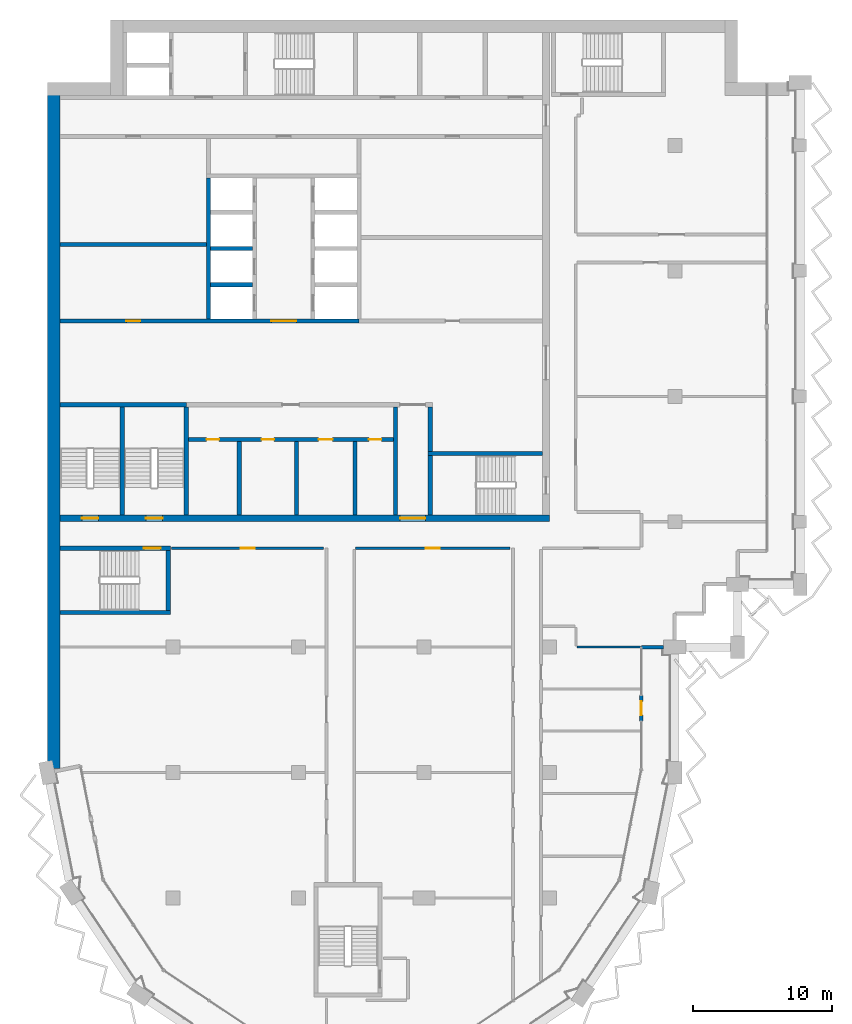
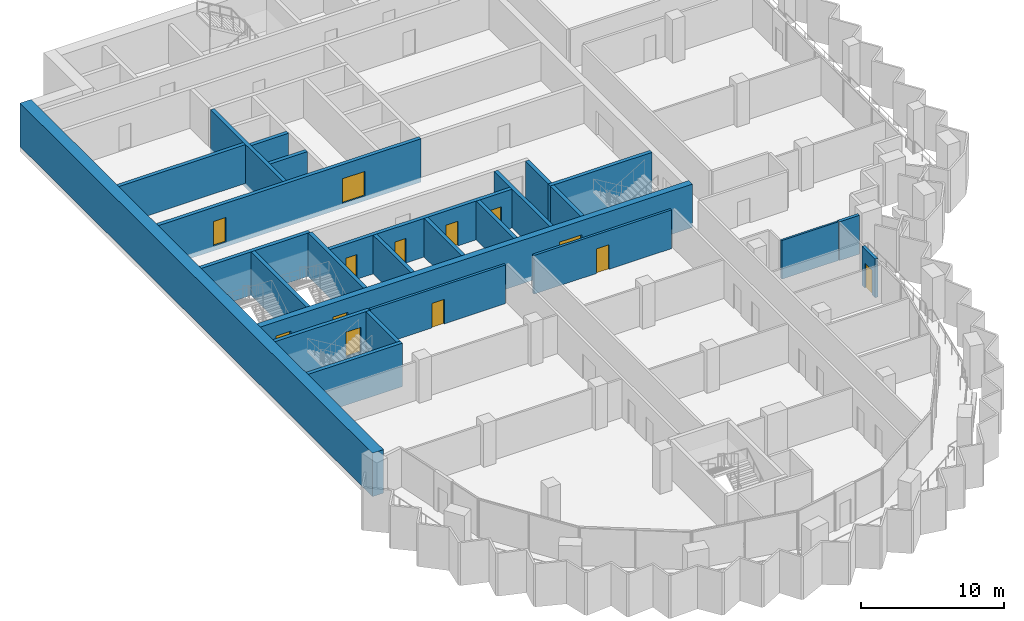
# One storey, part 8 of 16: 26 walls, 13 doors, 13 openings.
"""IFC4 building model written with IfcOpenShell, lengths in metres."""

from ifc_helpers import new_model, si_unit, direction, frame, frame_2d, origin, place, context, subcontext, project, spatial, rectangle, extrude, material, layer, layer_set, type_object, element, fill, save


model = new_model("IFC4")

# Units and contexts
model_context = context("Model", 3, precision=1e-05, world=origin(), true_north=direction((0.0, 1.0)))
body_context = subcontext(model_context, "Body", "Model", "MODEL_VIEW")
ifc_project = project(units=[si_unit("LENGTHUNIT", "METRE"), si_unit("AREAUNIT", "SQUARE_METRE"), si_unit("VOLUMEUNIT", "CUBIC_METRE"), si_unit("PLANEANGLEUNIT", "RADIAN"), si_unit("MASSUNIT", "GRAM", prefix="KILO")], contexts=[model_context])

# Site, building, storey
site_placement = place(None, origin())
site = spatial("IfcSite", under=ifc_project, at=site_placement, CompositionType="ELEMENT")
building_placement = place(site_placement, origin())
building = spatial("IfcBuilding", under=site, at=building_placement, Name="Hunhe Ridgeline Campus", CompositionType="ELEMENT")
storey_placement = place(building_placement, frame((0.0, 0.0, 261.39990234375)))
storey = spatial("IfcBuildingStorey", under=building, at=storey_placement, Name="L67", CompositionType="ELEMENT", Elevation=261.39990234375)

# Wall, openings, doors
ifc_material_1 = material(Name="Masonry concrete blockwork", Category="masonry")
ifc_layer_1 = layer(ifc_material_1, 0.300048828125)
ifc_layer_set_1 = layer_set([ifc_layer_1], Name="Core room partition 300 concrete block")
wall_type_1 = type_object("IfcWallType", Name="Core room partition 300 concrete block", PredefinedType="PARTITIONING", material=ifc_layer_set_1)
wall_1_placement = place(storey_placement, frame((10.10009765625, 68.89990234375, 0.0), z_axis=(0.0, 0.0, 1.0), x_axis=(1.0, 0.0, 0.0)))
wall_1 = element("IfcWall", 1, at=wall_1_placement, inside=storey, type_object=wall_type_1, Name="L67 core partition 7", PredefinedType="PARTITIONING", context=body_context, shape_type="SweptSolid", body=[
    extrude(rectangle(XDim=14.699951171875, YDim=0.300048828125, at=frame_2d((7.35009765625, 0.0))), origin(), (0.0, 0.0, 1.0), 3.300048828125),
])
opening_1_placement = place(wall_1_placement, frame((1.300048828125, 0.0, 0.0)))
opening_1 = element("IfcOpeningElement", 2, at=opening_1_placement, cuts=wall_1, Name="Opening CD8", PredefinedType="OPENING", context=body_context, shape_type="SweptSolid", body=[
    extrude(rectangle(XDim=0.89990234375, YDim=2.10009765625, at=frame_2d((0.449951171875, 1.050048828125))), frame((0.0, 0.14990234375, 0.0), z_axis=(0.0, -1.0, 0.0), x_axis=(1.0, 0.0, 0.0)), (0.0, 0.0, 1.0), 0.300048828125),
])
opening_2_placement = place(wall_1_placement, frame((5.25, 0.0, 0.0)))
opening_2 = element("IfcOpeningElement", 3, at=opening_2_placement, cuts=wall_1, Name="Opening CD9", PredefinedType="OPENING", context=body_context, shape_type="SweptSolid", body=[
    extrude(rectangle(XDim=0.89990234375, YDim=2.10009765625, at=frame_2d((0.449951171875, 1.050048828125))), frame((0.0, 0.14990234375, 0.0), z_axis=(0.0, -1.0, 0.0), x_axis=(1.0, 0.0, 0.0)), (0.0, 0.0, 1.0), 0.300048828125),
])
opening_3_placement = place(wall_1_placement, frame((9.35009765625, 0.0, 0.0)))
opening_3 = element("IfcOpeningElement", 4, at=opening_3_placement, cuts=wall_1, Name="Opening CD10", PredefinedType="OPENING", context=body_context, shape_type="SweptSolid", body=[
    extrude(rectangle(XDim=1.0, YDim=2.10009765625, at=frame_2d((0.5, 1.050048828125))), frame((0.0, 0.14990234375, 0.0), z_axis=(0.0, -1.0, 0.0), x_axis=(1.0, 0.0, 0.0)), (0.0, 0.0, 1.0), 0.300048828125),
])
opening_4_placement = place(wall_1_placement, frame((12.949951171875, 0.0, 0.0)))
opening_4 = element("IfcOpeningElement", 5, at=opening_4_placement, cuts=wall_1, Name="Opening CD11", PredefinedType="OPENING", context=body_context, shape_type="SweptSolid", body=[
    extrude(rectangle(XDim=0.89990234375, YDim=2.10009765625, at=frame_2d((0.449951171875, 1.050048828125))), frame((0.0, 0.14990234375, 0.0), z_axis=(0.0, -1.0, 0.0), x_axis=(1.0, 0.0, 0.0)), (0.0, 0.0, 1.0), 0.300048828125),
])
ifc_material_2 = material(Name="Solid core timber door leaf", Category="wood")
door_type_1 = type_object("IfcDoorType", Name="Timber door 1000x2100", OperationType="SINGLE_SWING_LEFT", PredefinedType="DOOR", material=ifc_material_2)
door_1_placement = place(opening_3_placement, frame((1.0, 0.0, 0.0), z_axis=(0.0, 0.0, 1.0), x_axis=(-1.0, 0.0, 0.0)))
door_1 = element("IfcDoor", 6, at=door_1_placement, inside=storey, type_object=door_type_1, Name="L67 door WC3", OperationType="SINGLE_SWING_LEFT", OverallHeight=2.10009765625, OverallWidth=1.0, PredefinedType="DOOR", context=body_context, shape_type="SweptSolid", body=[
    extrude(rectangle(XDim=1.0, YDim=2.10009765625, at=frame_2d((0.5, 1.050048828125))), frame((0.0, 0.02490234375, 0.0), z_axis=(0.0, -1.0, 0.0), x_axis=(1.0, 0.0, 0.0)), (0.0, 0.0, 1.0), 0.050048828125),
])
fill(opening_3, door_1)
door_type_2 = type_object("IfcDoorType", Name="Timber door 900x2100", OperationType="SINGLE_SWING_LEFT", PredefinedType="DOOR", material=ifc_material_2)
door_2_placement = place(opening_1_placement, frame((0.89990234375, 0.0, 0.0), z_axis=(0.0, 0.0, 1.0), x_axis=(-1.0, 0.0, 0.0)))
door_2 = element("IfcDoor", 7, at=door_2_placement, inside=storey, type_object=door_type_2, Name="L67 door WC1", OperationType="SINGLE_SWING_LEFT", OverallHeight=2.10009765625, OverallWidth=0.89990234375, PredefinedType="DOOR", context=body_context, shape_type="SweptSolid", body=[
    extrude(rectangle(XDim=0.89990234375, YDim=2.10009765625, at=frame_2d((0.449951171875, 1.050048828125))), frame((0.0, 0.02490234375, 0.0), z_axis=(0.0, -1.0, 0.0), x_axis=(1.0, 0.0, 0.0)), (0.0, 0.0, 1.0), 0.050048828125),
])
fill(opening_1, door_2)
door_3_placement = place(opening_2_placement, frame((0.89990234375, 0.0, 0.0), z_axis=(0.0, 0.0, 1.0), x_axis=(-1.0, 0.0, 0.0)))
door_3 = element("IfcDoor", 8, at=door_3_placement, inside=storey, type_object=door_type_2, Name="L67 door WC2", OperationType="SINGLE_SWING_RIGHT", OverallHeight=2.10009765625, OverallWidth=0.89990234375, PredefinedType="DOOR", context=body_context, shape_type="SweptSolid", body=[
    extrude(rectangle(XDim=0.89990234375, YDim=2.10009765625, at=frame_2d((0.449951171875, 1.050048828125))), frame((0.0, 0.02490234375, 0.0), z_axis=(0.0, -1.0, 0.0), x_axis=(1.0, 0.0, 0.0)), (0.0, 0.0, 1.0), 0.050048828125),
])
fill(opening_2, door_3)
door_4_placement = place(opening_4_placement, frame((0.89990234375, 0.0, 0.0), z_axis=(0.0, 0.0, 1.0), x_axis=(-1.0, 0.0, 0.0)))
door_4 = element("IfcDoor", 9, at=door_4_placement, inside=storey, type_object=door_type_2, Name="L67 door WC4", OperationType="SINGLE_SWING_RIGHT", OverallHeight=2.10009765625, OverallWidth=0.89990234375, PredefinedType="DOOR", context=body_context, shape_type="SweptSolid", body=[
    extrude(rectangle(XDim=0.89990234375, YDim=2.10009765625, at=frame_2d((0.449951171875, 1.050048828125))), frame((0.0, 0.02490234375, 0.0), z_axis=(0.0, -1.0, 0.0), x_axis=(1.0, 0.0, 0.0)), (0.0, 0.0, 1.0), 0.050048828125),
])
fill(opening_4, door_4)

# Walls
wall_2_placement = place(storey_placement, frame((0.89990234375, 82.89990234375, 0.0), z_axis=(0.0, 0.0, 1.0), x_axis=(1.0, 0.0, 0.0)))
element("IfcWall", 10, at=wall_2_placement, inside=storey, type_object=wall_type_1, Name="L67 core partition 16", PredefinedType="PARTITIONING", context=body_context, shape_type="SweptSolid", body=[
    extrude(rectangle(XDim=10.5, YDim=0.300048828125, at=frame_2d((5.25, 0.0))), origin(), (0.0, 0.0, 1.0), 3.300048828125),
])
for number, where, z_axis, x_axis, name in (
    (11, (13.75, 63.5, 0.0), (0.0, 0.0, 1.0), (0.0, 1.0, 0.0), "L67 core partition 32"),
    (12, (17.85009765625, 63.5, 0.0), (0.0, 0.0, 1.0), (0.0, 1.0, 0.0), "L67 core partition 35"),
    (13, (22.050048828125, 63.5, 0.0), (0.0, 0.0, 1.0), (0.0, 1.0, 0.0), "L67 core partition 38"),
):
    element("IfcWall", number, at=place(storey_placement, frame(where, z_axis=z_axis, x_axis=x_axis)), inside=storey, type_object=wall_type_1, Name=name, PredefinedType="PARTITIONING", context=body_context, shape_type="SweptSolid", body=[
        extrude(rectangle(XDim=5.25, YDim=0.300048828125, at=frame_2d((2.625, 0.0))), origin(), (0.0, 0.0, 1.0), 3.300048828125),
    ])
wall_3_placement = place(storey_placement, frame((24.949951171875, 63.5, 0.0), z_axis=(0.0, 0.0, 1.0), x_axis=(0.0, 1.0, 0.0)))
element("IfcWall", 14, at=wall_3_placement, inside=storey, type_object=wall_type_1, Name="L67 core partition 43", PredefinedType="PARTITIONING", context=body_context, shape_type="SweptSolid", body=[
    extrude(rectangle(XDim=7.75, YDim=0.300048828125, at=frame_2d((3.875, 0.0))), origin(), (0.0, 0.0, 1.0), 3.300048828125),
])
wall_4_placement = place(storey_placement, frame((27.449951171875, 68.050048828125, 0.0), z_axis=(0.0, 0.0, 1.0), x_axis=(0.0, 1.0, 0.0)))
element("IfcWall", 15, at=wall_4_placement, inside=storey, type_object=wall_type_1, Name="L67 core partition 46", PredefinedType="PARTITIONING", context=body_context, shape_type="SweptSolid", body=[
    extrude(rectangle(XDim=3.199951171875, YDim=0.300048828125, at=frame_2d((1.60009765625, 0.0))), origin(), (0.0, 0.0, 1.0), 3.300048828125),
])

# Wall, openings, doors
ifc_material_3 = material(Name="Concrete C50", Category="concrete")
ifc_layer_2 = layer(ifc_material_3, 0.5)
ifc_layer_set_2 = layer_set([ifc_layer_2], Name="Core wall 500 reinforced concrete C50")
wall_type_2 = type_object("IfcWallType", Name="Core wall 500 reinforced concrete C50", PredefinedType="SOLIDWALL", material=ifc_layer_set_2)
wall_5_placement = place(storey_placement, frame((0.89990234375, 63.25, -0.39990234375), z_axis=(0.0, 0.0, 1.0), x_axis=(1.0, 0.0, 0.0)))
wall_5 = element("IfcWall", 16, at=wall_5_placement, inside=storey, type_object=wall_type_2, Name="L67 core wall 5", PredefinedType="SOLIDWALL", context=body_context, shape_type="SweptSolid", body=[
    extrude(rectangle(XDim=35.10009765625, YDim=0.5, at=frame_2d((17.550048828125, 0.0))), origin(), (0.0, 0.0, 1.0), 3.699951171875),
])
opening_5_placement = place(wall_5_placement, frame((24.39990234375, 0.0, 0.39990234375)))
opening_5 = element("IfcOpeningElement", 17, at=opening_5_placement, cuts=wall_5, Name="Opening CD6", PredefinedType="OPENING", context=body_context, shape_type="SweptSolid", body=[
    extrude(rectangle(XDim=1.800048828125, YDim=2.10009765625, at=frame_2d((0.89990234375, 1.050048828125))), frame((0.0, 0.25, 0.0), z_axis=(0.0, -1.0, 0.0), x_axis=(1.0, 0.0, 0.0)), (0.0, 0.0, 1.0), 0.5),
])
opening_6_placement = place(wall_5_placement, frame((1.550048828125, 0.0, 0.39990234375)))
opening_6 = element("IfcOpeningElement", 18, at=opening_6_placement, cuts=wall_5, Name="Opening CD13", PredefinedType="OPENING", context=body_context, shape_type="SweptSolid", body=[
    extrude(rectangle(XDim=1.199951171875, YDim=2.10009765625, at=frame_2d((0.60009765625, 1.050048828125))), frame((0.0, 0.25, 0.0), z_axis=(0.0, -1.0, 0.0), x_axis=(1.0, 0.0, 0.0)), (0.0, 0.0, 1.0), 0.5),
])
opening_7_placement = place(wall_5_placement, frame((6.14990234375, 0.0, 0.39990234375)))
opening_7 = element("IfcOpeningElement", 19, at=opening_7_placement, cuts=wall_5, Name="Opening CD14", PredefinedType="OPENING", context=body_context, shape_type="SweptSolid", body=[
    extrude(rectangle(XDim=1.199951171875, YDim=2.10009765625, at=frame_2d((0.60009765625, 1.050048828125))), frame((0.0, 0.25, 0.0), z_axis=(0.0, -1.0, 0.0), x_axis=(1.0, 0.0, 0.0)), (0.0, 0.0, 1.0), 0.5),
])
ifc_material_4 = material(Name="Anodised aluminium and glass", Category="aluminium")
door_type_3 = type_object("IfcDoorType", Name="Glazed double door 1800x2100", OperationType="DOUBLE_DOOR_SINGLE_SWING", PredefinedType="DOOR", material=ifc_material_4)
door_5_placement = place(opening_5_placement, frame((1.800048828125, 0.0, 0.0), z_axis=(0.0, 0.0, 1.0), x_axis=(-1.0, 0.0, 0.0)))
door_5 = element("IfcDoor", 20, at=door_5_placement, inside=storey, type_object=door_type_3, Name="L67 door VEST-FLOOR", OperationType="DOUBLE_DOOR_SINGLE_SWING", OverallHeight=2.10009765625, OverallWidth=1.800048828125, PredefinedType="DOOR", context=body_context, shape_type="SweptSolid", body=[
    extrude(rectangle(XDim=1.800048828125, YDim=2.10009765625, at=frame_2d((0.89990234375, 1.050048828125))), frame((0.0, 0.02490234375, 0.0), z_axis=(0.0, -1.0, 0.0), x_axis=(1.0, 0.0, 0.0)), (0.0, 0.0, 1.0), 0.050048828125),
])
fill(opening_5, door_5)
ifc_material_5 = material(Name="Hollow metal fire door leaf")
door_type_4 = type_object("IfcDoorType", Name="Stair door 1200x2100 FD60", OperationType="SINGLE_SWING_LEFT", PredefinedType="DOOR", material=ifc_material_5)
door_6_placement = place(opening_6_placement, frame((1.199951171875, 0.0, 0.0), z_axis=(0.0, 0.0, 1.0), x_axis=(-1.0, 0.0, 0.0)))
door_6 = element("IfcDoor", 21, at=door_6_placement, inside=storey, type_object=door_type_4, Name="L67 door S3", OperationType="SINGLE_SWING_LEFT", OverallHeight=2.10009765625, OverallWidth=1.199951171875, PredefinedType="DOOR", context=body_context, shape_type="SweptSolid", body=[
    extrude(rectangle(XDim=1.199951171875, YDim=2.10009765625, at=frame_2d((0.60009765625, 1.050048828125))), frame((0.0, 0.02490234375, 0.0), z_axis=(0.0, -1.0, 0.0), x_axis=(1.0, 0.0, 0.0)), (0.0, 0.0, 1.0), 0.050048828125),
])
fill(opening_6, door_6)
door_7_placement = place(opening_7_placement, frame((1.199951171875, 0.0, 0.0), z_axis=(0.0, 0.0, 1.0), x_axis=(-1.0, 0.0, 0.0)))
door_7 = element("IfcDoor", 22, at=door_7_placement, inside=storey, type_object=door_type_4, Name="L67 door S4", OperationType="SINGLE_SWING_RIGHT", OverallHeight=2.10009765625, OverallWidth=1.199951171875, PredefinedType="DOOR", context=body_context, shape_type="SweptSolid", body=[
    extrude(rectangle(XDim=1.199951171875, YDim=2.10009765625, at=frame_2d((0.60009765625, 1.050048828125))), frame((0.0, 0.02490234375, 0.0), z_axis=(0.0, -1.0, 0.0), x_axis=(1.0, 0.0, 0.0)), (0.0, 0.0, 1.0), 0.050048828125),
])
fill(opening_7, door_7)

# Wall
ifc_material_6 = material(Name="Concrete C30", Category="concrete")
ifc_layer_3 = layer(ifc_material_6, 0.25)
ifc_layer_set_3 = layer_set([ifc_layer_3], Name="Corner return wall 250 Concrete C30")
wall_type_3 = type_object("IfcWallType", Name="Corner return wall 250 Concrete C30", PredefinedType="SOLIDWALL", material=ifc_layer_set_3)
wall_6_placement = place(storey_placement, frame((42.59912109375, 54.00048828125, 0.0), z_axis=(0.0, 0.0, 1.0), x_axis=(0.999999988371, 0.000152508767, 0.0)))
element("IfcWall", 23, at=wall_6_placement, inside=storey, type_object=wall_type_3, Name="Corner return wall 2", PredefinedType="SOLIDWALL", context=body_context, shape_type="SweptSolid", body=[
    extrude(rectangle(XDim=1.600830078125, YDim=0.25, at=frame_2d((0.80029296875, 0.0))), origin(), (0.0, 0.0, 1.0), 3.300048828125),
])

# Wall, opening, door
ifc_material_7 = material(Name="Gypsum board partition")
ifc_layer_4 = layer(ifc_material_7, 0.199951171875)
ifc_layer_set_4 = layer_set([ifc_layer_4], Name="Corridor partition 200 gypsum board on steel studs")
wall_type_4 = type_object("IfcWallType", Name="Corridor partition 200 gypsum board on steel studs", PredefinedType="PARTITIONING", material=ifc_layer_set_4)
wall_7_placement = place(storey_placement, frame((19.8056640625, 61.10009765625, 0.0), z_axis=(0.0, 0.0, 1.0), x_axis=(-1.0, 0.0, 0.0)))
wall_7 = element("IfcWall", 24, at=wall_7_placement, inside=storey, type_object=wall_type_4, Name="F-L67-wall-021", PredefinedType="PARTITIONING", context=body_context, shape_type="SweptSolid", body=[
    extrude(rectangle(XDim=10.901611328125, YDim=0.199951171875, at=frame_2d((5.45068359375, 0.0))), origin(), (0.0, 0.0, 1.0), 3.300048828125),
])
opening_8_placement = place(wall_7_placement, frame((4.95068359375, 0.0, 0.0)))
opening_8 = element("IfcOpeningElement", 25, at=opening_8_placement, cuts=wall_7, Name="Opening RD1-015", PredefinedType="OPENING", context=body_context, shape_type="SweptSolid", body=[
    extrude(rectangle(XDim=1.0, YDim=2.10009765625, at=frame_2d((0.5, 1.050048828125))), frame((0.0, 0.10009765625, 0.0), z_axis=(0.0, -1.0, 0.0), x_axis=(1.0, 0.0, 0.0)), (0.0, 0.0, 1.0), 0.199951171875),
])
ifc_material_8 = material(Name="Timber door leaf", Category="wood")
door_type_5 = type_object("IfcDoorType", Name="Single fire door 1000x2100 timber FD60", OperationType="NOTDEFINED", PredefinedType="DOOR", material=ifc_material_8)
door_8_placement = place(opening_8_placement, origin())
door_8 = element("IfcDoor", 26, at=door_8_placement, inside=storey, type_object=door_type_5, Name="F-L67-door-015", OperationType="SINGLE_SWING_LEFT", OverallHeight=2.10009765625, OverallWidth=1.0, PredefinedType="DOOR", context=body_context, shape_type="SweptSolid", body=[
    extrude(rectangle(XDim=1.0, YDim=2.10009765625, at=frame_2d((0.5, 1.050048828125))), frame((0.0, 0.02490234375, 0.0), z_axis=(0.0, -1.0, 0.0), x_axis=(1.0, 0.0, 0.0)), (0.0, 0.0, 1.0), 0.050048828125),
])
fill(opening_8, door_8)

wall_8_placement = place(storey_placement, frame((33.18505859375, 61.10009765625, 0.0), z_axis=(0.0, 0.0, 1.0), x_axis=(-1.0, 0.0, 0.0)))
wall_8 = element("IfcWall", 27, at=wall_8_placement, inside=storey, type_object=wall_type_4, Name="F-L67-wall-022", PredefinedType="PARTITIONING", context=body_context, shape_type="SweptSolid", body=[
    extrude(rectangle(XDim=11.0849609375, YDim=0.199951171875, at=frame_2d((5.54248046875, 0.0))), origin(), (0.0, 0.0, 1.0), 3.300048828125),
])
opening_9_placement = place(wall_8_placement, frame((5.04248046875, 0.0, 0.0)))
opening_9 = element("IfcOpeningElement", 28, at=opening_9_placement, cuts=wall_8, Name="Opening RD1-016", PredefinedType="OPENING", context=body_context, shape_type="SweptSolid", body=[
    extrude(rectangle(XDim=1.0, YDim=2.10009765625, at=frame_2d((0.5, 1.050048828125))), frame((0.0, 0.10009765625, 0.0), z_axis=(0.0, -1.0, 0.0), x_axis=(1.0, 0.0, 0.0)), (0.0, 0.0, 1.0), 0.199951171875),
])
door_9_placement = place(opening_9_placement, origin())
door_9 = element("IfcDoor", 29, at=door_9_placement, inside=storey, type_object=door_type_5, Name="F-L67-door-016", OperationType="SINGLE_SWING_LEFT", OverallHeight=2.10009765625, OverallWidth=1.0, PredefinedType="DOOR", context=body_context, shape_type="SweptSolid", body=[
    extrude(rectangle(XDim=1.0, YDim=2.10009765625, at=frame_2d((0.5, 1.050048828125))), frame((0.0, 0.02490234375, 0.0), z_axis=(0.0, -1.0, 0.0), x_axis=(1.0, 0.0, 0.0)), (0.0, 0.0, 1.0), 0.050048828125),
])
fill(opening_9, door_9)

ifc_layer_5 = layer(ifc_material_6, 0.25)
ifc_layer_set_5 = layer_set([ifc_layer_5], Name="Loggia door pier wall 250 Concrete C30")
wall_type_5 = type_object("IfcWallType", Name="Loggia door pier wall 250 Concrete C30", PredefinedType="SOLIDWALL", material=ifc_layer_set_5)
wall_9_placement = place(storey_placement, frame((42.59912109375, 48.718505859375, 0.0), z_axis=(0.0, 0.0, 1.0), x_axis=(0.0, 1.0, 0.0)))
wall_9 = element("IfcWall", 30, at=wall_9_placement, inside=storey, type_object=wall_type_5, Name="Loggia door pier 3", PredefinedType="SOLIDWALL", context=body_context, shape_type="SweptSolid", body=[
    extrude(rectangle(XDim=1.800048828125, YDim=0.25, at=frame_2d((0.89990234375, 0.0))), origin(), (0.0, 0.0, 1.0), 3.300048828125),
])
opening_10_placement = place(wall_9_placement, frame((0.39990234375, 0.0, 0.0)))
opening_10 = element("IfcOpeningElement", 31, at=opening_10_placement, cuts=wall_9, Name="Opening BD505", PredefinedType="OPENING", context=body_context, shape_type="SweptSolid", body=[
    extrude(rectangle(XDim=1.0, YDim=2.10009765625, at=frame_2d((0.5, 1.050048828125))), frame((0.0, 0.125, 0.0), z_axis=(0.0, -1.0, 0.0), x_axis=(1.0, 0.0, 0.0)), (0.0, 0.0, 1.0), 0.25),
])
ifc_material_9 = material(Name="Aluminium 6063", Category="aluminium")
door_type_6 = type_object("IfcDoorType", Name="Loggia glazed door 1000x2100", OperationType="NOTDEFINED", PredefinedType="DOOR", material=ifc_material_9)
door_10_placement = place(opening_10_placement, frame((1.0, 0.0, 0.0), z_axis=(0.0, 0.0, 1.0), x_axis=(-1.0, 0.0, 0.0)))
door_10 = element("IfcDoor", 32, at=door_10_placement, inside=storey, type_object=door_type_6, Name="Loggia door BD505", OperationType="SINGLE_SWING_RIGHT", OverallHeight=2.10009765625, OverallWidth=1.0, PredefinedType="DOOR", context=body_context, shape_type="SweptSolid", body=[
    extrude(rectangle(XDim=1.0, YDim=2.10009765625, at=frame_2d((0.5, 1.050048828125))), frame((0.0, 0.02490234375, 0.0), z_axis=(0.0, -1.0, 0.0), x_axis=(1.0, 0.0, 0.0)), (0.0, 0.0, 1.0), 0.050048828125),
])
fill(opening_10, door_10)

# Wall
ifc_layer_6 = layer(ifc_material_7, 0.14990234375)
ifc_layer_set_6 = layer_set([ifc_layer_6], Name="Room partition 150 gypsum board on steel studs")
wall_type_6 = type_object("IfcWallType", Name="Room partition 150 gypsum board on steel studs", PredefinedType="PARTITIONING", material=ifc_layer_set_6)
wall_10_placement = place(storey_placement, frame((37.97509765625, 54.0, 0.0), z_axis=(0.0, 0.0, 1.0), x_axis=(1.0, 0.0, 0.0)))
element("IfcWall", 33, at=wall_10_placement, inside=storey, type_object=wall_type_6, Name="F-L67-wall-019", PredefinedType="PARTITIONING", context=body_context, shape_type="SweptSolid", body=[
    extrude(rectangle(XDim=4.570068359375, YDim=0.14990234375, at=frame_2d((2.28515625, 0.0))), origin(), (0.0, 0.0, 1.0), 3.300048828125),
])

# Wall, openings, doors
ifc_layer_7 = layer(ifc_material_3, 0.300048828125)
ifc_layer_set_7 = layer_set([ifc_layer_7], Name="Shaft wall 300 reinforced concrete C50")
wall_type_7 = type_object("IfcWallType", Name="Shaft wall 300 reinforced concrete C50", PredefinedType="SOLIDWALL", material=ifc_layer_set_7)
wall_11_placement = place(storey_placement, frame((0.89990234375, 77.39990234375, -0.39990234375), z_axis=(0.0, 0.0, 1.0), x_axis=(1.0, 0.0, 0.0)))
wall_11 = element("IfcWall", 34, at=wall_11_placement, inside=storey, type_object=wall_type_7, Name="L67 core wall 10", PredefinedType="SOLIDWALL", context=body_context, shape_type="SweptSolid", body=[
    extrude(rectangle(XDim=21.4501953125, YDim=0.300048828125, at=frame_2d((10.72509765625, 0.0))), origin(), (0.0, 0.0, 1.0), 3.699951171875),
])
opening_11_placement = place(wall_11_placement, frame((15.14990234375, 0.0, 0.39990234375)))
opening_11 = element("IfcOpeningElement", 35, at=opening_11_placement, cuts=wall_11, Name="Opening CD38", PredefinedType="OPENING", context=body_context, shape_type="SweptSolid", body=[
    extrude(rectangle(XDim=1.800048828125, YDim=2.10009765625, at=frame_2d((0.89990234375, 1.050048828125))), frame((0.0, 0.14990234375, 0.0), z_axis=(0.0, -1.0, 0.0), x_axis=(1.0, 0.0, 0.0)), (0.0, 0.0, 1.0), 0.300048828125),
])
opening_12_placement = place(wall_11_placement, frame((4.75, 0.0, 0.39990234375)))
opening_12 = element("IfcOpeningElement", 36, at=opening_12_placement, cuts=wall_11, Name="Opening CD39", PredefinedType="OPENING", context=body_context, shape_type="SweptSolid", body=[
    extrude(rectangle(XDim=1.0, YDim=2.10009765625, at=frame_2d((0.5, 1.050048828125))), frame((0.0, 0.14990234375, 0.0), z_axis=(0.0, -1.0, 0.0), x_axis=(1.0, 0.0, 0.0)), (0.0, 0.0, 1.0), 0.300048828125),
])
door_type_7 = type_object("IfcDoorType", Name="Lobby door 1800x2100 FD60", OperationType="SINGLE_SWING_LEFT", PredefinedType="DOOR", material=ifc_material_5)
door_11_placement = place(opening_11_placement, frame((1.800048828125, 0.0, 0.0), z_axis=(0.0, 0.0, 1.0), x_axis=(-1.0, 0.0, 0.0)))
door_11 = element("IfcDoor", 37, at=door_11_placement, inside=storey, type_object=door_type_7, Name="L67 door LOB-HR", OperationType="SINGLE_SWING_RIGHT", OverallHeight=2.10009765625, OverallWidth=1.800048828125, PredefinedType="DOOR", context=body_context, shape_type="SweptSolid", body=[
    extrude(rectangle(XDim=1.800048828125, YDim=2.10009765625, at=frame_2d((0.89990234375, 1.050048828125))), frame((0.0, 0.02490234375, 0.0), z_axis=(0.0, -1.0, 0.0), x_axis=(1.0, 0.0, 0.0)), (0.0, 0.0, 1.0), 0.050048828125),
])
fill(opening_11, door_11)
door_12_placement = place(opening_12_placement, origin())
door_12 = element("IfcDoor", 38, at=door_12_placement, inside=storey, type_object=door_type_1, Name="L67 door VD-LR0", OperationType="SINGLE_SWING_RIGHT", OverallHeight=2.10009765625, OverallWidth=1.0, PredefinedType="DOOR", context=body_context, shape_type="SweptSolid", body=[
    extrude(rectangle(XDim=1.0, YDim=2.10009765625, at=frame_2d((0.5, 1.050048828125))), frame((0.0, 0.02490234375, 0.0), z_axis=(0.0, -1.0, 0.0), x_axis=(1.0, 0.0, 0.0)), (0.0, 0.0, 1.0), 0.050048828125),
])
fill(opening_12, door_12)

# Walls
for number, where, z_axis, x_axis, name in (
    (39, (11.699951171875, 80.0, -0.39990234375), (0.0, 0.0, 1.0), (1.0, 0.0, 0.0), "L67 core wall 12"),
    (40, (11.699951171875, 82.60009765625, -0.39990234375), (0.0, 0.0, 1.0), (1.0, 0.0, 0.0), "L67 core wall 14"),
):
    element("IfcWall", number, at=place(storey_placement, frame(where, z_axis=z_axis, x_axis=x_axis)), inside=storey, type_object=wall_type_7, Name=name, PredefinedType="SOLIDWALL", context=body_context, shape_type="SweptSolid", body=[
        extrude(rectangle(XDim=3.0, YDim=0.300048828125, at=frame_2d((1.5, 0.0))), origin(), (0.0, 0.0, 1.0), 3.699951171875),
    ])
wall_12_placement = place(storey_placement, frame((11.550048828125, 77.550048828125, -0.39990234375), z_axis=(0.0, 0.0, 1.0), x_axis=(0.0, 1.0, 0.0)))
element("IfcWall", 41, at=wall_12_placement, inside=storey, type_object=wall_type_7, Name="L67 core wall 30", PredefinedType="SOLIDWALL", context=body_context, shape_type="SweptSolid", body=[
    extrude(rectangle(XDim=10.099853515625, YDim=0.300048828125, at=frame_2d((5.0498046875, 0.0))), origin(), (0.0, 0.0, 1.0), 3.699951171875),
])
ifc_material_10 = material(Name="Concrete C60", Category="concrete")
ifc_layer_8 = layer(ifc_material_10, 0.89990234375)
ifc_layer_set_8 = layer_set([ifc_layer_8], Name="Spine wall 900 Concrete C60")
wall_type_8 = type_object("IfcWallType", Name="Spine wall 900 Concrete C60", PredefinedType="SHEAR", material=ifc_layer_set_8)
wall_13_placement = place(storey_placement, frame((0.449951171875, 94.5, 0.0), z_axis=(0.0, 0.0, 1.0), x_axis=(0.0, -1.0, 0.0)))
element("IfcWall", 42, at=wall_13_placement, inside=storey, type_object=wall_type_8, Name="Spine wall SW3-1 L67", PredefinedType="SHEAR", context=body_context, shape_type="SweptSolid", body=[
    extrude(rectangle(XDim=49.199462890625, YDim=0.89990234375, at=frame_2d((24.599609375, 0.0))), origin(), (0.0, 0.0, 1.0), 3.7001953125),
])
ifc_layer_9 = layer(ifc_material_3, 0.300048828125)
ifc_layer_set_9 = layer_set([ifc_layer_9], Name="Stair wall 300 reinforced concrete C50")
wall_type_9 = type_object("IfcWallType", Name="Stair wall 300 reinforced concrete C50", PredefinedType="SOLIDWALL", material=ifc_layer_set_9)
wall_14_placement = place(storey_placement, frame((0.89990234375, 56.5, -0.39990234375), z_axis=(0.0, 0.0, 1.0), x_axis=(1.0, 0.0, 0.0)))
element("IfcWall", 43, at=wall_14_placement, inside=storey, type_object=wall_type_9, Name="L67 core wall 3", PredefinedType="SOLIDWALL", context=body_context, shape_type="SweptSolid", body=[
    extrude(rectangle(XDim=7.900146484375, YDim=0.300048828125, at=frame_2d((3.9501953125, 0.0))), origin(), (0.0, 0.0, 1.0), 3.699951171875),
])

# Wall, opening, door
wall_15_placement = place(storey_placement, frame((0.89990234375, 61.10009765625, -0.39990234375), z_axis=(0.0, 0.0, 1.0), x_axis=(1.0, 0.0, 0.0)))
wall_15 = element("IfcWall", 44, at=wall_15_placement, inside=storey, type_object=wall_type_9, Name="L67 core wall 4", PredefinedType="SOLIDWALL", context=body_context, shape_type="SweptSolid", body=[
    extrude(rectangle(XDim=7.900146484375, YDim=0.300048828125, at=frame_2d((3.9501953125, 0.0))), origin(), (0.0, 0.0, 1.0), 3.699951171875),
])
opening_13_placement = place(wall_15_placement, frame((6.0, 0.0, 0.39990234375)))
opening_13 = element("IfcOpeningElement", 45, at=opening_13_placement, cuts=wall_15, Name="Opening CD22", PredefinedType="OPENING", context=body_context, shape_type="SweptSolid", body=[
    extrude(rectangle(XDim=1.199951171875, YDim=2.10009765625, at=frame_2d((0.60009765625, 1.050048828125))), frame((0.0, 0.14990234375, 0.0), z_axis=(0.0, -1.0, 0.0), x_axis=(1.0, 0.0, 0.0)), (0.0, 0.0, 1.0), 0.300048828125),
])
door_13_placement = place(opening_13_placement, origin())
door_13 = element("IfcDoor", 46, at=door_13_placement, inside=storey, type_object=door_type_4, Name="L67 door W2", OperationType="SINGLE_SWING_LEFT", OverallHeight=2.10009765625, OverallWidth=1.199951171875, PredefinedType="DOOR", context=body_context, shape_type="SweptSolid", body=[
    extrude(rectangle(XDim=1.199951171875, YDim=2.10009765625, at=frame_2d((0.60009765625, 1.050048828125))), frame((0.0, 0.02490234375, 0.0), z_axis=(0.0, -1.0, 0.0), x_axis=(1.0, 0.0, 0.0)), (0.0, 0.0, 1.0), 0.050048828125),
])
fill(opening_13, door_13)

# Walls
wall_16_placement = place(storey_placement, frame((27.300048828125, 67.89990234375, -0.39990234375), z_axis=(0.0, 0.0, 1.0), x_axis=(1.0, 0.0, 0.0)))
element("IfcWall", 47, at=wall_16_placement, inside=storey, type_object=wall_type_9, Name="L67 core wall 6", PredefinedType="SOLIDWALL", context=body_context, shape_type="SweptSolid", body=[
    extrude(rectangle(XDim=8.199951171875, YDim=0.300048828125, at=frame_2d((4.10009765625, 0.0))), origin(), (0.0, 0.0, 1.0), 3.699951171875),
])
wall_17_placement = place(storey_placement, frame((0.89990234375, 71.39990234375, -0.39990234375), z_axis=(0.0, 0.0, 1.0), x_axis=(1.0, 0.0, 0.0)))
element("IfcWall", 48, at=wall_17_placement, inside=storey, type_object=wall_type_9, Name="L67 core wall 8", PredefinedType="SOLIDWALL", context=body_context, shape_type="SweptSolid", body=[
    extrude(rectangle(XDim=9.050048828125, YDim=0.300048828125, at=frame_2d((4.52490234375, 0.0))), origin(), (0.0, 0.0, 1.0), 3.699951171875),
])
wall_18_placement = place(storey_placement, frame((5.35009765625, 63.5, -0.39990234375), z_axis=(0.0, 0.0, 1.0), x_axis=(0.0, 1.0, 0.0)))
element("IfcWall", 49, at=wall_18_placement, inside=storey, type_object=wall_type_9, Name="L67 core wall 25", PredefinedType="SOLIDWALL", context=body_context, shape_type="SweptSolid", body=[
    extrude(rectangle(XDim=7.75, YDim=0.300048828125, at=frame_2d((3.875, 0.0))), origin(), (0.0, 0.0, 1.0), 3.699951171875),
])
wall_19_placement = place(storey_placement, frame((8.64990234375, 56.64990234375, -0.39990234375), z_axis=(0.0, 0.0, 1.0), x_axis=(0.0, 1.0, 0.0)))
element("IfcWall", 50, at=wall_19_placement, inside=storey, type_object=wall_type_9, Name="L67 core wall 27", PredefinedType="SOLIDWALL", context=body_context, shape_type="SweptSolid", body=[
    extrude(rectangle(XDim=4.300048828125, YDim=0.300048828125, at=frame_2d((2.14990234375, 0.0))), origin(), (0.0, 0.0, 1.0), 3.699951171875),
])
wall_20_placement = place(storey_placement, frame((9.949951171875, 63.5, -0.39990234375), z_axis=(0.0, 0.0, 1.0), x_axis=(0.0, 1.0, 0.0)))
element("IfcWall", 51, at=wall_20_placement, inside=storey, type_object=wall_type_9, Name="L67 core wall 29", PredefinedType="SOLIDWALL", context=body_context, shape_type="SweptSolid", body=[
    extrude(rectangle(XDim=7.75, YDim=0.300048828125, at=frame_2d((3.875, 0.0))), origin(), (0.0, 0.0, 1.0), 3.699951171875),
])
wall_21_placement = place(storey_placement, frame((27.449951171875, 63.5, -0.39990234375), z_axis=(0.0, 0.0, 1.0), x_axis=(0.0, 1.0, 0.0)))
element("IfcWall", 52, at=wall_21_placement, inside=storey, type_object=wall_type_9, Name="L67 core wall 45", PredefinedType="SOLIDWALL", context=body_context, shape_type="SweptSolid", body=[
    extrude(rectangle(XDim=4.25, YDim=0.300048828125, at=frame_2d((2.125, 0.0))), origin(), (0.0, 0.0, 1.0), 3.699951171875),
])

save(model, "model.ifc")
